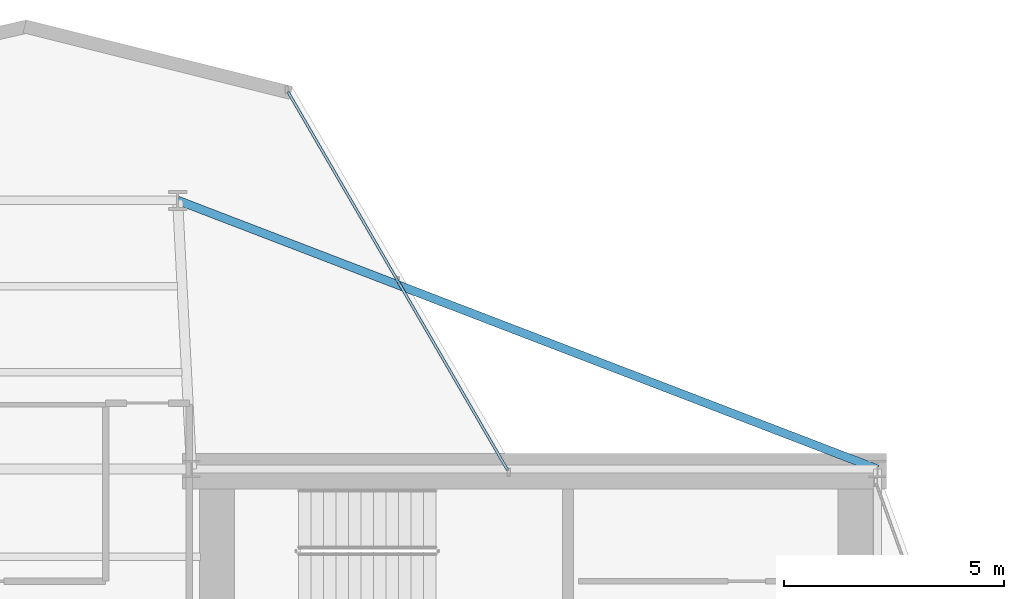
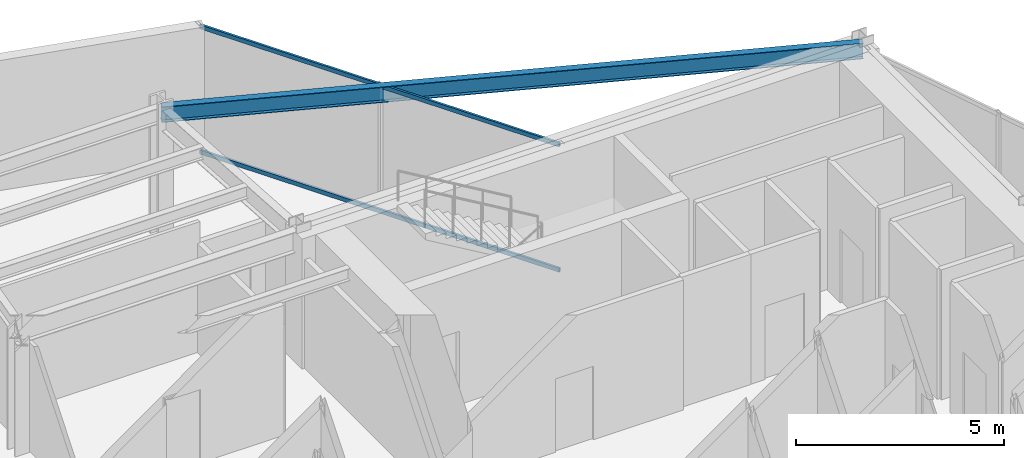
# One storey, part 16 of 25: 2 members, 1 beam, 1 element without a shape of its own.
"""IFC4 building model written with IfcOpenShell, lengths in metres."""

from ifc_helpers import new_model, si_unit, direction, frame, origin, origin_2d, place, context, subcontext, project, spatial, hollow_rectangle, i_section, extrude, material, layer, layer_set, material_profile, profile_set, type_object, element, aggregate, save


model = new_model("IFC4")

# Units and contexts
model_context = context("Model", 3, precision=1e-05, world=origin(), true_north=direction((0.0, 1.0)))
body_context = subcontext(model_context, "Body", "Model", "MODEL_VIEW")
ifc_project = project(units=[si_unit("LENGTHUNIT", "METRE"), si_unit("AREAUNIT", "SQUARE_METRE"), si_unit("VOLUMEUNIT", "CUBIC_METRE"), si_unit("PLANEANGLEUNIT", "RADIAN"), si_unit("MASSUNIT", "GRAM", prefix="KILO")], contexts=[model_context])

# Site, building, storey
site_placement = place(None, origin())
site = spatial("IfcSite", under=ifc_project, at=site_placement, CompositionType="ELEMENT")
building_placement = place(site_placement, origin())
building = spatial("IfcBuilding", under=site, at=building_placement, Name="Veymaron Broadcast Tower", CompositionType="ELEMENT")
storey_placement = place(building_placement, frame((0.0, 0.0, 169.5)))
storey = spatial("IfcBuildingStorey", under=building, at=storey_placement, Name="L39", CompositionType="ELEMENT", Elevation=169.5)

# Beam
ifc_material_1 = material(Name="Structural steel ASTM A992 Gr 50", Category="steel")
ifc_material_profile_1 = material_profile(ifc_material_1, i_section(OverallWidth=0.19091796875, OverallDepth=0.4599609375, WebThickness=0.010009765625, FlangeThickness=0.01611328125, at=origin_2d()), Name="W460X82")
ifc_profile_set_1 = profile_set([ifc_material_profile_1], Name="Structural steel ASTM A992 Gr 50")
beam_type = type_object("IfcBeamType", Name="BM-SP1", PredefinedType="SPANDREL", material=ifc_profile_set_1)
beam_placement = place(storey_placement, frame((54.60009765625, 32.0, 3.580078125), z_axis=(-0.93356283501, 0.358413773575, 0.0), x_axis=(-0.358413773575, -0.93356283501, 0.0)))
element("IfcBeam", 1, at=beam_placement, inside=storey, type_object=beam_type, Name="L39 primary structural floor girder", PredefinedType="SPANDREL", context=body_context, shape_type="SweptSolid", body=[
    extrude(i_section(OverallWidth=0.19091796875, OverallDepth=0.4599609375, WebThickness=0.010009765625, FlangeThickness=0.01611328125, at=origin_2d()), origin(), (0.0, 0.0, 1.0), 17.047607421875),
])

# Curtain wall, members
ifc_material_2 = material(Name="Anodised aluminium AA 6063-T6 and laminated low-E dark glass", Category="aluminium")
ifc_layer = layer(ifc_material_2, 0.179931640625)
ifc_layer_set = layer_set([ifc_layer], Name="Anodised aluminium AA 6063-T6 and laminated low-E dark glass")
curtain_wall_type = type_object("IfcCurtainWallType", Name="CW-SYS-03", PredefinedType="NOTDEFINED", material=ifc_layer_set)
curtain_wall_placement = place(storey_placement, origin())
curtain_wall = element("IfcCurtainWall", 2, at=curtain_wall_placement, inside=storey, type_object=curtain_wall_type, Name="L39 dark-glass curtain wall CW-L39-E5-1", PredefinedType="NOTDEFINED")
ifc_material_3 = material(Name="Anodised aluminium AA 6063-T6", Category="aluminium")
ifc_material_profile_2 = material_profile(ifc_material_3, hollow_rectangle(XDim=0.06005859375, YDim=0.1201171875, WallThickness=0.00390625, at=origin_2d()), Name="AL120X60X4")
ifc_profile_set_2 = profile_set([ifc_material_profile_2], Name="Anodised aluminium AA 6063-T6")
member_type = type_object("IfcMemberType", Name="CW-TRN-02", PredefinedType="USERDEFINED", material=ifc_profile_set_2)
member_1_placement = place(storey_placement, frame((46.189208984375, 31.972900390625, 0.070068359375), z_axis=(-0.502084034237, 0.864818838003, 0.0), x_axis=(-0.864818838003, -0.502084034237, 0.0)))
member_1 = element("IfcMember", 3, at=member_1_placement, type_object=member_type, Name="CW-L39-E5-1 transom B", ObjectType="TRANSOM", PredefinedType="USERDEFINED", context=body_context, shape_type="SweptSolid", body=[
    extrude(hollow_rectangle(XDim=0.06005859375, YDim=0.1201171875, WallThickness=0.00390625, at=origin_2d()), origin(), (0.0, 0.0, 1.0), 9.953125),
])
member_2_placement = place(storey_placement, frame((46.189208984375, 31.972900390625, 3.739990234375), z_axis=(-0.502084034237, 0.864818838003, 0.0), x_axis=(-0.864818838003, -0.502084034237, 0.0)))
member_2 = element("IfcMember", 4, at=member_2_placement, type_object=member_type, Name="CW-L39-E5-1 transom T", ObjectType="TRANSOM", PredefinedType="USERDEFINED", context=body_context, shape_type="SweptSolid", body=[
    extrude(hollow_rectangle(XDim=0.06005859375, YDim=0.1201171875, WallThickness=0.00390625, at=origin_2d()), origin(), (0.0, 0.0, 1.0), 9.953125),
])
aggregate(curtain_wall, [member_1, member_2])

save(model, "model.ifc")
